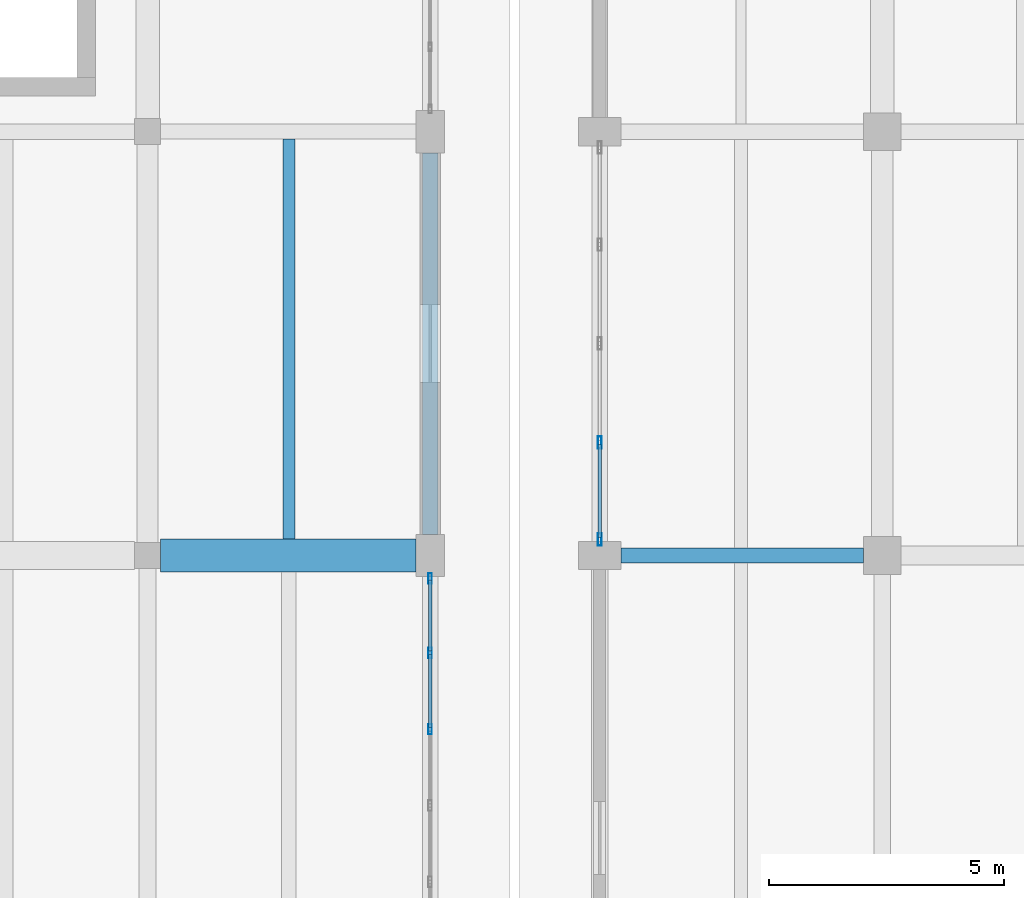
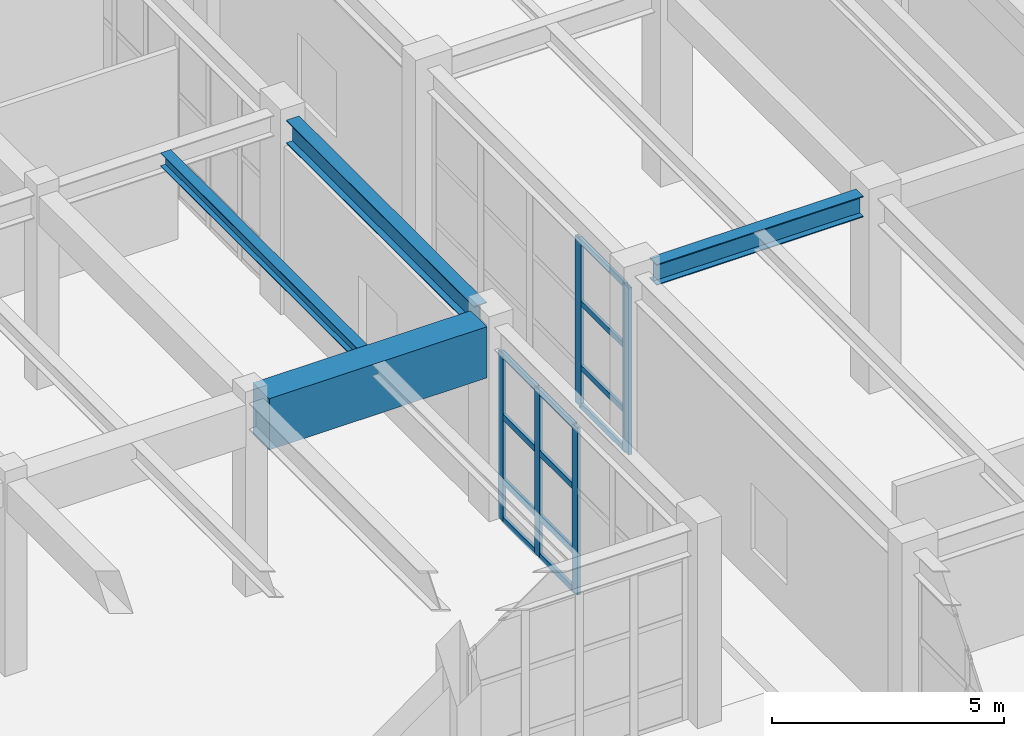
# One storey, part 12 of 91: 17 members, 4 beams, 2 elements without a shape of their own.
"""IFC4 building model written with IfcOpenShell, lengths in metres."""

from ifc_helpers import new_model, si_unit, direction, frame, origin, origin_2d, place, context, subcontext, project, spatial, rectangle, hollow_rectangle, i_section, extrude, material, layer, layer_set, material_profile, profile_set, type_object, element, aggregate, save


model = new_model("IFC4")

# Units and contexts
model_context = context("Model", 3, precision=1e-05, world=origin(), true_north=direction((0.0, 1.0)))
body_context = subcontext(model_context, "Body", "Model", "MODEL_VIEW")
ifc_project = project(units=[si_unit("LENGTHUNIT", "METRE"), si_unit("AREAUNIT", "SQUARE_METRE"), si_unit("VOLUMEUNIT", "CUBIC_METRE"), si_unit("PLANEANGLEUNIT", "RADIAN"), si_unit("MASSUNIT", "GRAM", prefix="KILO")], contexts=[model_context])

# Site, building, storey
site_placement = place(None, origin())
site = spatial("IfcSite", under=ifc_project, at=site_placement, CompositionType="ELEMENT")
building_placement = place(site_placement, origin())
building = spatial("IfcBuilding", under=site, at=building_placement, Name="Vaelkrest Opera House", CompositionType="ELEMENT")
storey_placement = place(building_placement, origin())
storey = spatial("IfcBuildingStorey", under=building, at=storey_placement, Name="L00", CompositionType="ELEMENT", Elevation=0.0)

# Beams
ifc_material_1 = material(Name="Concrete C50/60", Category="concrete")
ifc_material_profile_1 = material_profile(ifc_material_1, rectangle(XDim=0.699951171875, YDim=1.35009765625, at=origin_2d()), Name="RCB700X1350")
ifc_profile_set_1 = profile_set([ifc_material_profile_1], Name="Concrete C50/60")
beam_type_1 = type_object("IfcBeamType", Name="B06", PredefinedType="BEAM", material=ifc_profile_set_1)
beam_1_placement = place(storey_placement, frame((-39.324951171875, -7.800048828125, 4.405029296875), z_axis=(1.0, 0.0, 0.0), x_axis=(0.0, 1.0, 0.0)))
element("IfcBeam", 1, at=beam_1_placement, inside=storey, type_object=beam_type_1, Name="Beam BM-V3-L00-1391", PredefinedType="BEAM", context=body_context, shape_type="SweptSolid", body=[
    extrude(rectangle(XDim=0.699951171875, YDim=1.35009765625, at=origin_2d()), origin(), (0.0, 0.0, 1.0), 5.425048828125),
])
ifc_material_2 = material(Name="Steel A992 Gr50", Category="steel")
ifc_material_profile_2 = material_profile(ifc_material_2, i_section(OverallWidth=0.31494140625, OverallDepth=0.551025390625, WebThickness=0.01513671875, FlangeThickness=0.0244140625, at=origin_2d()), Name="W21X122")
ifc_profile_set_2 = profile_set([ifc_material_profile_2], Name="Steel A992 Gr50")
beam_type_2 = type_object("IfcBeamType", Name="B20", PredefinedType="BEAM", material=ifc_profile_set_2)
beam_2_placement = place(storey_placement, frame((-29.550048828125, -7.800048828125, 4.804443359375), z_axis=(1.0, 0.0, 0.0), x_axis=(0.0, 1.0, 0.0)))
element("IfcBeam", 2, at=beam_2_placement, inside=storey, type_object=beam_type_2, Name="Beam BM-V1-L00-0116", PredefinedType="BEAM", context=body_context, shape_type="SweptSolid", body=[
    extrude(i_section(OverallWidth=0.31494140625, OverallDepth=0.551025390625, WebThickness=0.01513671875, FlangeThickness=0.0244140625, at=origin_2d()), origin(), (0.0, 0.0, 1.0), 5.150146484375),
])

# Curtain wall, members
ifc_material_3 = material(Name="Dark bronze anodized aluminium", Category="aluminium")
ifc_layer_1 = layer(ifc_material_3, 0.199951171875)
ifc_layer_set_1 = layer_set([ifc_layer_1], Name="Dark bronze anodized aluminium")
curtain_wall_type_1 = type_object("IfcCurtainWallType", Name="CW03", PredefinedType="NOTDEFINED", material=ifc_layer_set_1)
curtain_wall_1_placement = place(storey_placement, origin())
curtain_wall_1 = element("IfcCurtainWall", 3, at=curtain_wall_1_placement, inside=storey, type_object=curtain_wall_type_1, Name="Curtain wall CW-L00-098", PredefinedType="NOTDEFINED")
ifc_material_profile_3 = material_profile(ifc_material_3, hollow_rectangle(XDim=0.074951171875, YDim=0.219970703125, WallThickness=0.00439453125, at=origin_2d()), Name="CWM75X220")
ifc_profile_set_3 = profile_set([ifc_material_profile_3], Name="Dark bronze anodized aluminium")
member_type_1 = type_object("IfcMemberType", Name="CWM03", PredefinedType="MULLION", material=ifc_profile_set_3)
member_1_placement = place(storey_placement, frame((-33.60009765625, -8.285400390625, 0.0), z_axis=(0.0, 0.0, 1.0), x_axis=(1.0, 0.0, 0.0)))
member_1 = element("IfcMember", 4, at=member_1_placement, type_object=member_type_1, Name="CW03 mullion 1", PredefinedType="MULLION", context=body_context, shape_type="SweptSolid", body=[
    extrude(hollow_rectangle(XDim=0.074951171875, YDim=0.219970703125, WallThickness=0.00439453125, at=origin_2d()), origin(), (0.0, 0.0, 1.0), 4.404052734375),
])
member_2_placement = place(storey_placement, frame((-33.60009765625, -9.868896484375, 0.0), z_axis=(0.0, 0.0, 1.0), x_axis=(1.0, 0.0, 0.0)))
member_2 = element("IfcMember", 5, at=member_2_placement, type_object=member_type_1, Name="CW03 mullion 2", PredefinedType="MULLION", context=body_context, shape_type="SweptSolid", body=[
    extrude(hollow_rectangle(XDim=0.074951171875, YDim=0.219970703125, WallThickness=0.00439453125, at=origin_2d()), origin(), (0.0, 0.0, 1.0), 4.404052734375),
])
member_3_placement = place(storey_placement, frame((-33.60009765625, -11.489501953125, 0.0), z_axis=(0.0, 0.0, 1.0), x_axis=(1.0, 0.0, 0.0)))
member_3 = element("IfcMember", 6, at=member_3_placement, type_object=member_type_1, Name="CW03 mullion 3", PredefinedType="MULLION", context=body_context, shape_type="SweptSolid", body=[
    extrude(hollow_rectangle(XDim=0.074951171875, YDim=0.219970703125, WallThickness=0.00439453125, at=origin_2d()), origin(), (0.0, 0.0, 1.0), 4.404052734375),
])

ifc_layer_2 = layer(ifc_material_3, 0.25)
ifc_layer_set_2 = layer_set([ifc_layer_2], Name="Dark bronze anodized aluminium")
curtain_wall_type_2 = type_object("IfcCurtainWallType", Name="CW08", PredefinedType="NOTDEFINED", material=ifc_layer_set_2)
curtain_wall_2_placement = place(storey_placement, origin())
curtain_wall_2 = element("IfcCurtainWall", 7, at=curtain_wall_2_placement, inside=storey, type_object=curtain_wall_type_2, Name="Curtain wall CW-L00-015", PredefinedType="NOTDEFINED")
ifc_material_profile_4 = material_profile(ifc_material_3, hollow_rectangle(XDim=0.080078125, YDim=0.260009765625, WallThickness=0.0048828125, at=origin_2d()), Name="CWM80X260")
ifc_profile_set_4 = profile_set([ifc_material_profile_4], Name="Dark bronze anodized aluminium")
member_type_2 = type_object("IfcMemberType", Name="CWM04", PredefinedType="MULLION", material=ifc_profile_set_4)
member_4_placement = place(storey_placement, frame((-30.0, -7.4619140625, 0.0), z_axis=(0.0, 0.0, 1.0), x_axis=(-1.0, 0.0, 0.0)))
member_4 = element("IfcMember", 8, at=member_4_placement, type_object=member_type_2, Name="CW08 mullion 1", PredefinedType="MULLION", context=body_context, shape_type="SweptSolid", body=[
    extrude(hollow_rectangle(XDim=0.080078125, YDim=0.260009765625, WallThickness=0.0048828125, at=origin_2d()), origin(), (0.0, 0.0, 1.0), 4.404052734375),
])
member_5_placement = place(storey_placement, frame((-30.0, -5.40087890625, 0.0), z_axis=(0.0, 0.0, 1.0), x_axis=(-1.0, 0.0, 0.0)))
member_5 = element("IfcMember", 9, at=member_5_placement, type_object=member_type_2, Name="CW08 mullion 2", PredefinedType="MULLION", context=body_context, shape_type="SweptSolid", body=[
    extrude(hollow_rectangle(XDim=0.080078125, YDim=0.260009765625, WallThickness=0.0048828125, at=origin_2d()), origin(), (0.0, 0.0, 1.0), 4.404052734375),
])
ifc_material_profile_5 = material_profile(ifc_material_3, hollow_rectangle(XDim=0.070068359375, YDim=0.14990234375, WallThickness=0.004150390625, at=origin_2d()), Name="CWT70X150")
ifc_profile_set_5 = profile_set([ifc_material_profile_5], Name="Dark bronze anodized aluminium")
member_type_3 = type_object("IfcMemberType", Name="CWT02", PredefinedType="USERDEFINED", material=ifc_profile_set_5)
member_6_placement = place(storey_placement, frame((-30.0, -7.422119140625, 0.034912109375), z_axis=(0.0, 1.0, 0.0), x_axis=(-1.0, 0.0, 0.0)))
member_6 = element("IfcMember", 10, at=member_6_placement, type_object=member_type_3, Name="CW08 transom 1.1", ObjectType="TRANSOM", PredefinedType="USERDEFINED", context=body_context, shape_type="SweptSolid", body=[
    extrude(hollow_rectangle(XDim=0.070068359375, YDim=0.14990234375, WallThickness=0.004150390625, at=origin_2d()), origin(), (0.0, 0.0, 1.0), 1.981201171875),
])
member_7_placement = place(storey_placement, frame((-30.0, -7.422119140625, 1.050048828125), z_axis=(0.0, 1.0, 0.0), x_axis=(-1.0, 0.0, 0.0)))
member_7 = element("IfcMember", 11, at=member_7_placement, type_object=member_type_3, Name="CW08 transom 1.2", ObjectType="TRANSOM", PredefinedType="USERDEFINED", context=body_context, shape_type="SweptSolid", body=[
    extrude(hollow_rectangle(XDim=0.070068359375, YDim=0.14990234375, WallThickness=0.004150390625, at=origin_2d()), origin(), (0.0, 0.0, 1.0), 1.981201171875),
])
member_8_placement = place(storey_placement, frame((-30.0, -7.422119140625, 2.75), z_axis=(0.0, 1.0, 0.0), x_axis=(-1.0, 0.0, 0.0)))
member_8 = element("IfcMember", 12, at=member_8_placement, type_object=member_type_3, Name="CW08 transom 1.3", ObjectType="TRANSOM", PredefinedType="USERDEFINED", context=body_context, shape_type="SweptSolid", body=[
    extrude(hollow_rectangle(XDim=0.070068359375, YDim=0.14990234375, WallThickness=0.004150390625, at=origin_2d()), origin(), (0.0, 0.0, 1.0), 1.981201171875),
])
member_9_placement = place(storey_placement, frame((-30.0, -7.422119140625, 4.368896484375), z_axis=(0.0, 1.0, 0.0), x_axis=(-1.0, 0.0, 0.0)))
member_9 = element("IfcMember", 13, at=member_9_placement, type_object=member_type_3, Name="CW08 transom 1.4", ObjectType="TRANSOM", PredefinedType="USERDEFINED", context=body_context, shape_type="SweptSolid", body=[
    extrude(hollow_rectangle(XDim=0.070068359375, YDim=0.14990234375, WallThickness=0.004150390625, at=origin_2d()), origin(), (0.0, 0.0, 1.0), 1.981201171875),
])
aggregate(curtain_wall_2, [member_4, member_5, member_6, member_7, member_8, member_9])

# Member
ifc_material_profile_6 = material_profile(ifc_material_3, hollow_rectangle(XDim=0.074951171875, YDim=0.159912109375, WallThickness=0.00439453125, at=origin_2d()), Name="CWT75X160")
ifc_profile_set_6 = profile_set([ifc_material_profile_6], Name="Dark bronze anodized aluminium")
member_type_4 = type_object("IfcMemberType", Name="CWT03", PredefinedType="USERDEFINED", material=ifc_profile_set_6)
member_10_placement = place(storey_placement, frame((-33.60009765625, -8.322998046875, 0.03759765625), z_axis=(0.0, -1.0, 0.0), x_axis=(1.0, 0.0, 0.0)))
member_10 = element("IfcMember", 14, at=member_10_placement, type_object=member_type_4, Name="CW03 transom 1.1", ObjectType="TRANSOM", PredefinedType="USERDEFINED", context=body_context, shape_type="SweptSolid", body=[
    extrude(hollow_rectangle(XDim=0.074951171875, YDim=0.159912109375, WallThickness=0.00439453125, at=origin_2d()), origin(), (0.0, 0.0, 1.0), 1.50830078125),
])

member_11_placement = place(storey_placement, frame((-33.60009765625, -8.322998046875, 1.050048828125), z_axis=(0.0, -1.0, 0.0), x_axis=(1.0, 0.0, 0.0)))
member_11 = element("IfcMember", 15, at=member_11_placement, type_object=member_type_4, Name="CW03 transom 1.2", ObjectType="TRANSOM", PredefinedType="USERDEFINED", context=body_context, shape_type="SweptSolid", body=[
    extrude(hollow_rectangle(XDim=0.074951171875, YDim=0.159912109375, WallThickness=0.00439453125, at=origin_2d()), origin(), (0.0, 0.0, 1.0), 1.50830078125),
])

member_12_placement = place(storey_placement, frame((-33.60009765625, -8.322998046875, 2.75), z_axis=(0.0, -1.0, 0.0), x_axis=(1.0, 0.0, 0.0)))
member_12 = element("IfcMember", 16, at=member_12_placement, type_object=member_type_4, Name="CW03 transom 1.3", ObjectType="TRANSOM", PredefinedType="USERDEFINED", context=body_context, shape_type="SweptSolid", body=[
    extrude(hollow_rectangle(XDim=0.074951171875, YDim=0.159912109375, WallThickness=0.00439453125, at=origin_2d()), origin(), (0.0, 0.0, 1.0), 1.50830078125),
])

member_13_placement = place(storey_placement, frame((-33.60009765625, -8.322998046875, 4.366455078125), z_axis=(0.0, -1.0, 0.0), x_axis=(1.0, 0.0, 0.0)))
member_13 = element("IfcMember", 17, at=member_13_placement, type_object=member_type_4, Name="CW03 transom 1.4", ObjectType="TRANSOM", PredefinedType="USERDEFINED", context=body_context, shape_type="SweptSolid", body=[
    extrude(hollow_rectangle(XDim=0.074951171875, YDim=0.159912109375, WallThickness=0.00439453125, at=origin_2d()), origin(), (0.0, 0.0, 1.0), 1.50830078125),
])

member_14_placement = place(storey_placement, frame((-33.60009765625, -9.90625, 0.03759765625), z_axis=(0.0, -1.0, 0.0), x_axis=(1.0, 0.0, 0.0)))
member_14 = element("IfcMember", 18, at=member_14_placement, type_object=member_type_4, Name="CW03 transom 2.1", ObjectType="TRANSOM", PredefinedType="USERDEFINED", context=body_context, shape_type="SweptSolid", body=[
    extrude(hollow_rectangle(XDim=0.074951171875, YDim=0.159912109375, WallThickness=0.00439453125, at=origin_2d()), origin(), (0.0, 0.0, 1.0), 1.5458984375),
])

member_15_placement = place(storey_placement, frame((-33.60009765625, -9.90625, 1.050048828125), z_axis=(0.0, -1.0, 0.0), x_axis=(1.0, 0.0, 0.0)))
member_15 = element("IfcMember", 19, at=member_15_placement, type_object=member_type_4, Name="CW03 transom 2.2", ObjectType="TRANSOM", PredefinedType="USERDEFINED", context=body_context, shape_type="SweptSolid", body=[
    extrude(hollow_rectangle(XDim=0.074951171875, YDim=0.159912109375, WallThickness=0.00439453125, at=origin_2d()), origin(), (0.0, 0.0, 1.0), 1.5458984375),
])

member_16_placement = place(storey_placement, frame((-33.60009765625, -9.90625, 2.75), z_axis=(0.0, -1.0, 0.0), x_axis=(1.0, 0.0, 0.0)))
member_16 = element("IfcMember", 20, at=member_16_placement, type_object=member_type_4, Name="CW03 transom 2.3", ObjectType="TRANSOM", PredefinedType="USERDEFINED", context=body_context, shape_type="SweptSolid", body=[
    extrude(hollow_rectangle(XDim=0.074951171875, YDim=0.159912109375, WallThickness=0.00439453125, at=origin_2d()), origin(), (0.0, 0.0, 1.0), 1.5458984375),
])

member_17_placement = place(storey_placement, frame((-33.60009765625, -9.90625, 4.366455078125), z_axis=(0.0, -1.0, 0.0), x_axis=(1.0, 0.0, 0.0)))
member_17 = element("IfcMember", 21, at=member_17_placement, type_object=member_type_4, Name="CW03 transom 2.4", ObjectType="TRANSOM", PredefinedType="USERDEFINED", context=body_context, shape_type="SweptSolid", body=[
    extrude(hollow_rectangle(XDim=0.074951171875, YDim=0.159912109375, WallThickness=0.00439453125, at=origin_2d()), origin(), (0.0, 0.0, 1.0), 1.5458984375),
])

aggregate(curtain_wall_1, [member_1, member_2, member_3, member_10, member_11, member_12, member_13, member_14, member_15, member_16, member_17])

# Beams
ifc_material_profile_7 = material_profile(ifc_material_2, i_section(OverallWidth=0.2548828125, OverallDepth=0.35693359375, WebThickness=0.010498046875, FlangeThickness=0.018310546875, at=origin_2d()), Name="W14X68")
ifc_profile_set_7 = profile_set([ifc_material_profile_7], Name="Steel A992 Gr50")
beam_type_3 = type_object("IfcBeamType", Name="J05", PredefinedType="JOIST", material=ifc_profile_set_7)
beam_3_placement = place(storey_placement, frame((-36.60009765625, -7.449951171875, 4.901611328125), z_axis=(0.0, 1.0, 0.0), x_axis=(-1.0, 0.0, 0.0)))
element("IfcBeam", 22, at=beam_3_placement, inside=storey, type_object=beam_type_3, Name="Floor joist JST-V3-L00-1505", PredefinedType="JOIST", context=body_context, shape_type="SweptSolid", body=[
    extrude(i_section(OverallWidth=0.2548828125, OverallDepth=0.35693359375, WebThickness=0.010498046875, FlangeThickness=0.018310546875, at=origin_2d()), origin(), (0.0, 0.0, 1.0), 8.492431640625),
])
ifc_material_profile_8 = material_profile(ifc_material_2, i_section(OverallWidth=0.323974609375, OverallDepth=0.611083984375, WebThickness=0.0126953125, FlangeThickness=0.01904296875, at=origin_2d()), Name="W24X104")
ifc_profile_set_8 = profile_set([ifc_material_profile_8], Name="Steel A992 Gr50")
beam_type_4 = type_object("IfcBeamType", Name="SP01", PredefinedType="SPANDREL", material=ifc_profile_set_8)
beam_4_placement = place(storey_placement, frame((-33.60009765625, -7.35009765625, 4.7744140625), z_axis=(0.0, 1.0, 0.0), x_axis=(-1.0, 0.0, 0.0)))
element("IfcBeam", 23, at=beam_4_placement, inside=storey, type_object=beam_type_4, Name="Beam BM-V3-L00-1474", PredefinedType="SPANDREL", context=body_context, shape_type="SweptSolid", body=[
    extrude(i_section(OverallWidth=0.323974609375, OverallDepth=0.611083984375, WebThickness=0.0126953125, FlangeThickness=0.01904296875, at=origin_2d()), origin(), (0.0, 0.0, 1.0), 8.10009765625),
])

save(model, "model.ifc")
